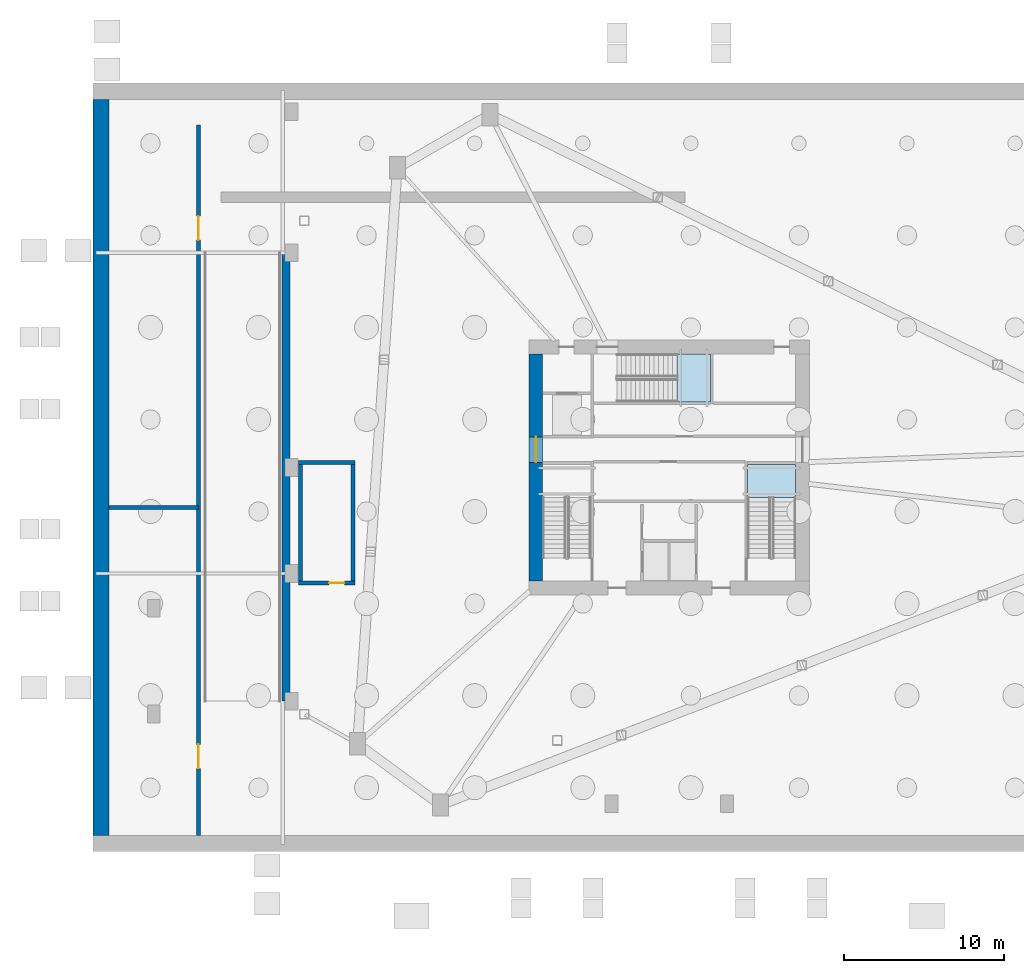
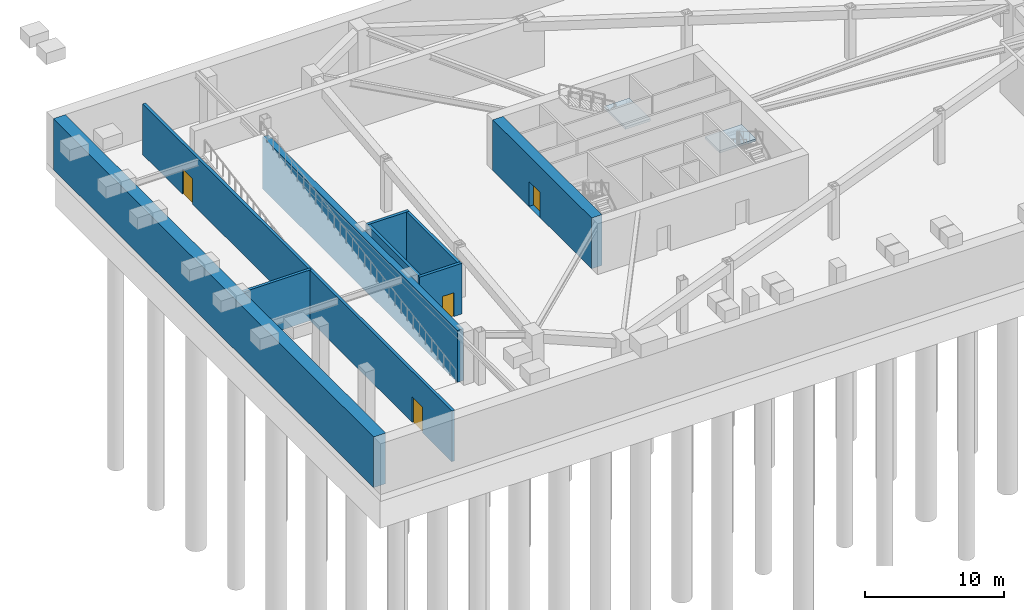
# One storey, part 3 of 9: 9 walls, 4 doors, 2 slabs, 4 openings, 2 elements without a shape of their own.
"""IFC4 building model written with IfcOpenShell, lengths in metres."""

from ifc_helpers import new_model, si_unit, direction, frame, frame_2d, origin, place, context, subcontext, project, spatial, polyline, rectangle, outline, extrude, source, transform, mapped, material, layer, layer_set, type_object, type_shapes, element, fill, aggregate, save


model = new_model("IFC4")

# Units and contexts
model_context = context("Model", 3, precision=1e-05, world=origin(), true_north=direction((0.0, 1.0)))
body_context = subcontext(model_context, "Body", "Model", "MODEL_VIEW")
ifc_project = project(units=[si_unit("LENGTHUNIT", "METRE"), si_unit("AREAUNIT", "SQUARE_METRE"), si_unit("VOLUMEUNIT", "CUBIC_METRE"), si_unit("PLANEANGLEUNIT", "RADIAN"), si_unit("MASSUNIT", "GRAM", prefix="KILO")], contexts=[model_context])

# Site, building, storey
site_placement = place(None, origin())
site = spatial("IfcSite", under=ifc_project, at=site_placement, CompositionType="ELEMENT")
building_placement = place(site_placement, origin())
building = spatial("IfcBuilding", under=site, at=building_placement, Name="Olszyna Solenne Hotel", CompositionType="ELEMENT")
storey_placement = place(building_placement, frame((0.0, 0.0, -9.60009765625)))
storey = spatial("IfcBuildingStorey", under=building, at=storey_placement, Name="B02", CompositionType="ELEMENT", Elevation=-9.60009765625)

# Stair, slab
ifc_material_1 = material(Name="Concrete C40/50", Category="concrete")
stair_type = type_object("IfcStairType", Name="STR-C1", PredefinedType="TWO_QUARTER_WINDING_STAIR", material=ifc_material_1)
stair_1_placement = place(storey_placement, origin())
stair_1 = element("IfcStair", 1, at=stair_1_placement, inside=storey, type_object=stair_type, Name="B02 ST2", PredefinedType="TWO_QUARTER_WINDING_STAIR")
ifc_layer_1 = layer(ifc_material_1, 0.18994140625, Name="Concrete C40/50")
ifc_layer_set_1 = layer_set([ifc_layer_1], Name="Concrete C40/50")
slab_type = type_object("IfcSlabType", Name="SL-LN190", PredefinedType="LANDING", material=ifc_layer_set_1)
slab_1_placement = place(storey_placement, frame((0.0, 0.0, 2.2001953125)))
slab_1 = element("IfcSlab", 2, at=slab_1_placement, type_object=slab_type, Name="ST2 landing 1", PredefinedType="LANDING", context=body_context, shape_type="SweptSolid", body=[
    extrude(outline(polyline([(45.89990234375, 24.719970703125), (45.89990234375, 26.800048828125), (42.8798828125, 26.800048828125), (42.8798828125, 24.719970703125), (45.89990234375, 24.719970703125)])), origin(), (0.0, 0.0, 1.0), 0.199951171875),
])
aggregate(stair_1, [slab_1])

stair_2_placement = place(storey_placement, origin())
stair_2 = element("IfcStair", 3, at=stair_2_placement, inside=storey, type_object=stair_type, Name="B02 ST3", PredefinedType="TWO_QUARTER_WINDING_STAIR")
slab_2_placement = place(storey_placement, frame((0.0, 0.0, 2.2001953125)))
slab_2 = element("IfcSlab", 4, at=slab_2_placement, type_object=slab_type, Name="ST3 landing 1", PredefinedType="LANDING", context=body_context, shape_type="SweptSolid", body=[
    extrude(outline(polyline([(38.5, 30.679931640625), (40.580078125, 30.679931640625), (40.580078125, 33.699951171875), (38.5, 33.699951171875), (38.5, 30.679931640625)])), origin(), (0.0, 0.0, 1.0), 0.199951171875),
])
aggregate(stair_2, [slab_2])

# Wall, opening, door
ifc_material_2 = material(Name="Concrete C60/75", Category="concrete")
ifc_layer_2 = layer(ifc_material_2, 0.85009765625, Name="Concrete C60/75")
ifc_layer_set_2 = layer_set([ifc_layer_2], Name="Concrete C60/75")
wall_type_1 = type_object("IfcWallType", Name="WL-CR850", PredefinedType="SHEAR", material=ifc_layer_set_2)
wall_1_placement = place(storey_placement, frame((29.675048828125, 19.5, 0.0), z_axis=(0.0, 0.0, 1.0), x_axis=(0.0, 1.0, 0.0)))
wall_1 = element("IfcWall", 5, at=wall_1_placement, inside=storey, type_object=wall_type_1, Name="Core shear wall WL-CR850 CRW-B02-W", PredefinedType="SHEAR", context=body_context, shape_type="SweptSolid", body=[
    extrude(rectangle(XDim=14.199951171875, YDim=0.85009765625, at=frame_2d((7.10009765625, 0.0))), origin(), (0.0, 0.0, 1.0), 4.4501953125),
])
opening_1_placement = place(wall_1_placement, frame((7.419921875, 0.0, 0.0)))
opening_1 = element("IfcOpeningElement", 6, at=opening_1_placement, cuts=wall_1, Name="Opening LHD-B02-W", PredefinedType="OPENING", context=body_context, shape_type="SweptSolid", body=[
    extrude(rectangle(XDim=1.60009765625, YDim=2.199951171875, at=frame_2d((0.800048828125, 1.10009765625))), frame((0.0, 0.43505859375, 0.0), z_axis=(0.0, -1.0, 0.0), x_axis=(1.0, 0.0, 0.0)), (0.0, 0.0, 1.0), 0.8701171875),
])
ifc_material_3 = material(Name="Timber hardwood", Category="wood")
door_type_1 = type_object("IfcDoorType", Name="DR-CR1", OperationType="DOUBLE_DOOR_SINGLE_SWING", PredefinedType="DOOR", material=ifc_material_3)
shared_shape_1 = source(origin(), body_context, "Body", "SweptSolid", [
    extrude(rectangle(XDim=1.60009765625, YDim=2.199951171875, at=frame_2d((0.800048828125, 1.10009765625))), frame((0.0, 0.02490234375, 0.0), z_axis=(0.0, -1.0, 0.0), x_axis=(1.0, 0.0, 0.0)), (0.0, 0.0, 1.0), 0.050048828125),
])
type_shapes(door_type_1, [shared_shape_1])
door_1_placement = place(opening_1_placement, origin())
door_1 = element("IfcDoor", 7, at=door_1_placement, inside=storey, type_object=door_type_1, Name="Passenger lift lobby West fire door LHD-B02-W", OperationType="DOUBLE_DOOR_SINGLE_SWING", OverallHeight=2.199951171875, OverallWidth=1.60009765625, PredefinedType="DOOR", context=body_context, shape_type="MappedRepresentation", body=[
    mapped(shared_shape_1, transform((0.0, 0.0, 0.0), x_axis=(1.0, 0.0, 0.0), y_axis=(0.0, 1.0, 0.0), z_axis=(0.0, 0.0, 1.0), scale=1.0)),
])
fill(opening_1, door_1)

# Wall
ifc_layer_3 = layer(ifc_material_1, 1.0, Name="Concrete C40/50")
ifc_layer_set_3 = layer_set([ifc_layer_3], Name="Concrete C40/50")
wall_type_2 = type_object("IfcWallType", Name="WL-DW1000", PredefinedType="SOLIDWALL", material=ifc_layer_set_3)
wall_2_placement = place(storey_placement, frame((2.5, 3.60009765625, 0.0), z_axis=(0.0, 0.0, 1.0), x_axis=(0.0, 1.0, 0.0)))
element("IfcWall", 8, at=wall_2_placement, inside=storey, type_object=wall_type_2, Name="Perimeter diaphragm wall DW-B02-W", PredefinedType="SOLIDWALL", context=body_context, shape_type="SweptSolid", body=[
    extrude(rectangle(XDim=46.0, YDim=1.0, at=frame_2d((23.0, 0.0))), origin(), (0.0, 0.0, 1.0), 4.4501953125),
])

# Wall, opening, door
ifc_material_4 = material(Name="Acoustic gypsum partition", Category="gypsum")
ifc_layer_4 = layer(ifc_material_4, 0.239990234375, Name="Acoustic gypsum partition")
ifc_layer_set_4 = layer_set([ifc_layer_4], Name="Acoustic gypsum partition")
wall_type_3 = type_object("IfcWallType", Name="WL-PT240", PredefinedType="PARTITIONING", material=ifc_layer_set_4)
wall_3_placement = place(storey_placement, frame((18.360107421875, 19.3798828125, 0.0), z_axis=(0.0, 0.0, 1.0), x_axis=(-1.0, 0.0, 0.0)))
wall_3 = element("IfcWall", 9, at=wall_3_placement, inside=storey, type_object=wall_type_3, Name="Core shaft compartment wall CW-B02-ST4S", PredefinedType="PARTITIONING", context=body_context, shape_type="SweptSolid", body=[
    extrude(rectangle(XDim=3.5, YDim=0.239990234375, at=frame_2d((1.75, 0.0))), origin(), (0.0, 0.0, 1.0), 4.4501953125),
])
opening_2_placement = place(wall_3_placement, frame((0.64990234375, 0.0, 0.0)))
opening_2 = element("IfcOpeningElement", 10, at=opening_2_placement, cuts=wall_3, Name="Opening SVD-B02-S4", PredefinedType="OPENING", context=body_context, shape_type="SweptSolid", body=[
    extrude(rectangle(XDim=0.949951171875, YDim=2.10009765625, at=frame_2d((0.47509765625, 1.050048828125))), frame((0.0, 0.1298828125, 0.0), z_axis=(0.0, -1.0, 0.0), x_axis=(1.0, 0.0, 0.0)), (0.0, 0.0, 1.0), 0.260009765625),
])
ifc_material_5 = material(Name="Steel S355J2", Category="steel")
door_type_2 = type_object("IfcDoorType", Name="DR-SV1", OperationType="NOTDEFINED", PredefinedType="DOOR", material=ifc_material_5)
shared_shape_2 = source(origin(), body_context, "Body", "SweptSolid", [
    extrude(rectangle(XDim=0.949951171875, YDim=2.10009765625, at=frame_2d((0.47509765625, 1.050048828125))), frame((0.0, 0.02490234375, 0.0), z_axis=(0.0, -1.0, 0.0), x_axis=(1.0, 0.0, 0.0)), (0.0, 0.0, 1.0), 0.050048828125),
])
type_shapes(door_type_2, [shared_shape_2])
door_2_placement = place(opening_2_placement, origin())
door_2 = element("IfcDoor", 11, at=door_2_placement, inside=storey, type_object=door_type_2, Name="Under-stair service door SVD-B02-S4", OperationType="SINGLE_SWING_LEFT", OverallHeight=2.10009765625, OverallWidth=0.949951171875, PredefinedType="DOOR", context=body_context, shape_type="MappedRepresentation", body=[
    mapped(shared_shape_2, transform((0.0, 0.0, 0.0), x_axis=(1.0, 0.0, 0.0), y_axis=(0.0, 1.0, 0.0), z_axis=(0.0, 0.0, 1.0), scale=1.0)),
])
fill(opening_2, door_2)

# Walls
wall_4_placement = place(storey_placement, frame((14.860107421875, 26.919921875, 0.0), z_axis=(0.0, 0.0, 1.0), x_axis=(1.0, 0.0, 0.0)))
element("IfcWall", 12, at=wall_4_placement, inside=storey, type_object=wall_type_3, Name="Core shaft compartment wall CW-B02-ST4N", PredefinedType="PARTITIONING", context=body_context, shape_type="SweptSolid", body=[
    extrude(rectangle(XDim=3.5, YDim=0.239990234375, at=frame_2d((1.75, 0.0))), origin(), (0.0, 0.0, 1.0), 4.4501953125),
])
for number, where, z_axis, x_axis, name in (
    (13, (14.97998046875, 19.5, 0.0), (0.0, 0.0, 1.0), (0.0, 1.0, 0.0), "Core shaft compartment wall CW-B02-ST4W"),
    (14, (18.239990234375, 26.800048828125, 0.0), (0.0, 0.0, 1.0), (0.0, -1.0, 0.0), "Core shaft compartment wall CW-B02-ST4E"),
):
    element("IfcWall", number, at=place(storey_placement, frame(where, z_axis=z_axis, x_axis=x_axis)), inside=storey, type_object=wall_type_3, Name=name, PredefinedType="PARTITIONING", context=body_context, shape_type="SweptSolid", body=[
        extrude(rectangle(XDim=7.300048828125, YDim=0.239990234375, at=frame_2d((3.64990234375, 0.0))), origin(), (0.0, 0.0, 1.0), 4.4501953125),
    ])

# Wall, openings, doors
wall_5_placement = place(storey_placement, frame((8.60009765625, 3.60009765625, 0.0), z_axis=(0.0, 0.0, 1.0), x_axis=(0.0, 1.0, 0.0)))
wall_5 = element("IfcWall", 15, at=wall_5_placement, inside=storey, type_object=wall_type_3, Name="Interior acoustic partition WL-PT240 PW-B02-0022", PredefinedType="PARTITIONING", context=body_context, shape_type="SweptSolid", body=[
    extrude(rectangle(XDim=44.39990234375, YDim=0.239990234375, at=frame_2d((22.199951171875, 0.0))), origin(), (0.0, 0.0, 1.0), 4.4501953125),
])
opening_3_placement = place(wall_5_placement, frame((4.199951171875, 0.0, 0.0)))
opening_3 = element("IfcOpeningElement", 16, at=opening_3_placement, cuts=wall_5, Name="Opening DR-B02-0003", PredefinedType="OPENING", context=body_context, shape_type="SweptSolid", body=[
    extrude(rectangle(XDim=1.5, YDim=2.25, at=frame_2d((0.75, 1.125))), frame((0.0, 0.1298828125, 0.0), z_axis=(0.0, -1.0, 0.0), x_axis=(1.0, 0.0, 0.0)), (0.0, 0.0, 1.0), 0.260009765625),
])
opening_4_placement = place(wall_5_placement, frame((37.199951171875, 0.0, 0.0)))
opening_4 = element("IfcOpeningElement", 17, at=opening_4_placement, cuts=wall_5, Name="Opening DR-B02-0004", PredefinedType="OPENING", context=body_context, shape_type="SweptSolid", body=[
    extrude(rectangle(XDim=1.5, YDim=2.25, at=frame_2d((0.75, 1.125))), frame((0.0, 0.1298828125, 0.0), z_axis=(0.0, -1.0, 0.0), x_axis=(1.0, 0.0, 0.0)), (0.0, 0.0, 1.0), 0.260009765625),
])
door_type_3 = type_object("IfcDoorType", Name="DR-PL1", OperationType="DOUBLE_DOOR_SINGLE_SWING", PredefinedType="DOOR", material=ifc_material_5)
shared_shape_3 = source(origin(), body_context, "Body", "SweptSolid", [
    extrude(rectangle(XDim=1.5, YDim=2.25, at=frame_2d((0.75, 1.125))), frame((0.0, 0.02490234375, 0.0), z_axis=(0.0, -1.0, 0.0), x_axis=(1.0, 0.0, 0.0)), (0.0, 0.0, 1.0), 0.050048828125),
])
type_shapes(door_type_3, [shared_shape_3])
door_3_placement = place(opening_3_placement, origin())
door_3 = element("IfcDoor", 18, at=door_3_placement, inside=storey, type_object=door_type_3, Name="Plant Room Fire Door DR-B02-0003", OperationType="DOUBLE_DOOR_SINGLE_SWING", OverallHeight=2.25, OverallWidth=1.5, PredefinedType="DOOR", context=body_context, shape_type="MappedRepresentation", body=[
    mapped(shared_shape_3, transform((0.0, 0.0, 0.0), x_axis=(1.0, 0.0, 0.0), y_axis=(0.0, 1.0, 0.0), z_axis=(0.0, 0.0, 1.0), scale=1.0)),
])
fill(opening_3, door_3)
door_4_placement = place(opening_4_placement, origin())
door_4 = element("IfcDoor", 19, at=door_4_placement, inside=storey, type_object=door_type_3, Name="Sprinkler Tank Fire Door DR-B02-0004", OperationType="DOUBLE_DOOR_SINGLE_SWING", OverallHeight=2.25, OverallWidth=1.5, PredefinedType="DOOR", context=body_context, shape_type="MappedRepresentation", body=[
    mapped(shared_shape_3, transform((0.0, 0.0, 0.0), x_axis=(1.0, 0.0, 0.0), y_axis=(0.0, 1.0, 0.0), z_axis=(0.0, 0.0, 1.0), scale=1.0)),
])
fill(opening_4, door_4)

# Walls
wall_6_placement = place(storey_placement, frame((3.0, 24.10009765625, 0.0), z_axis=(0.0, 0.0, 1.0), x_axis=(1.0, 0.0, 0.0)))
element("IfcWall", 20, at=wall_6_placement, inside=storey, type_object=wall_type_3, Name="Interior acoustic partition WL-PT240 PW-B02-0023", PredefinedType="PARTITIONING", context=body_context, shape_type="SweptSolid", body=[
    extrude(rectangle(XDim=5.60009765625, YDim=0.239990234375, at=frame_2d((2.800048828125, 0.0))), origin(), (0.0, 0.0, 1.0), 4.4501953125),
])
ifc_layer_5 = layer(ifc_material_1, 0.64990234375, Name="Concrete C40/50")
ifc_layer_set_5 = layer_set([ifc_layer_5], Name="Concrete C40/50")
wall_type_4 = type_object("IfcWallType", Name="WL-RW650", PredefinedType="SOLIDWALL", material=ifc_layer_set_5)
wall_7_placement = place(storey_placement, frame((14.050048828125, 12.0, 0.0), z_axis=(0.0, 0.0, 1.0), x_axis=(0.0, 1.0, 0.0)))
element("IfcWall", 21, at=wall_7_placement, inside=storey, type_object=wall_type_4, Name="Basement B02 vehicle ramp East support wall RW-B02-02", PredefinedType="SOLIDWALL", context=body_context, shape_type="SweptSolid", body=[
    extrude(rectangle(XDim=28.0, YDim=0.5, at=frame_2d((14.0, 0.0))), origin(), (0.0, 0.0, 1.0), 4.550048828125),
])

save(model, "model.ifc")
